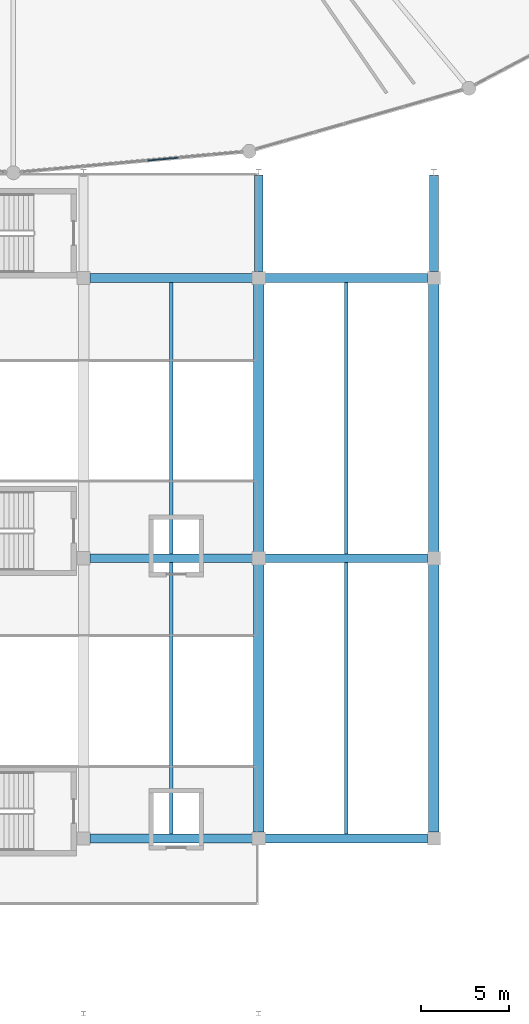
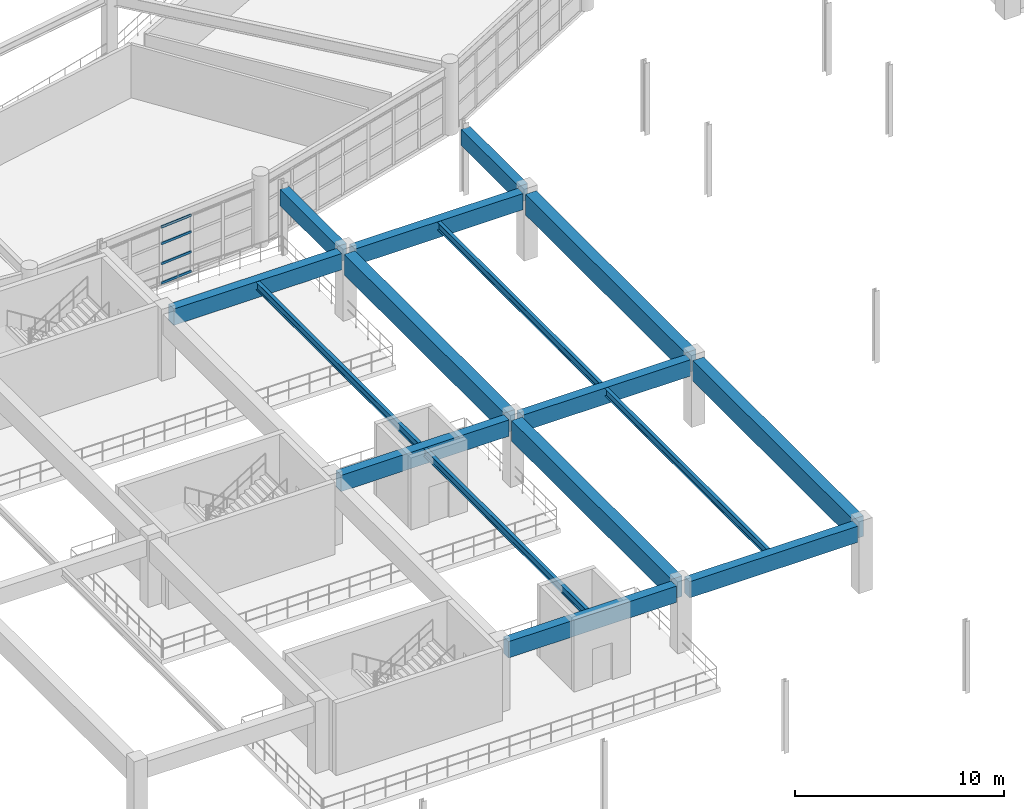
# One storey, part 28 of 100: 16 beams, 4 members, 1 element without a shape of its own.
"""IFC4 building model written with IfcOpenShell, lengths in metres."""

from ifc_helpers import new_model, si_unit, direction, frame, origin, origin_2d, place, context, subcontext, project, spatial, rectangle, i_section, extrude, material, layer, layer_set, material_profile, profile_set, type_object, element, aggregate, save


model = new_model("IFC4")

# Units and contexts
model_context = context("Model", 3, precision=1e-05, world=origin(), true_north=direction((0.0, 1.0)))
body_context = subcontext(model_context, "Body", "Model", "MODEL_VIEW")
ifc_project = project(units=[si_unit("LENGTHUNIT", "METRE"), si_unit("AREAUNIT", "SQUARE_METRE"), si_unit("VOLUMEUNIT", "CUBIC_METRE"), si_unit("PLANEANGLEUNIT", "RADIAN"), si_unit("MASSUNIT", "GRAM", prefix="KILO")], contexts=[model_context])

# Site, building, storey
site_placement = place(None, origin())
site = spatial("IfcSite", under=ifc_project, at=site_placement, CompositionType="ELEMENT")
building_placement = place(site_placement, origin())
building = spatial("IfcBuilding", under=site, at=building_placement, Name="Kivolera Central Railway Station", CompositionType="ELEMENT")
storey_placement = place(building_placement, frame((0.0, 0.0, 5.39990234375)))
storey = spatial("IfcBuildingStorey", under=building, at=storey_placement, Name="L01", CompositionType="ELEMENT", Elevation=5.39990234375)

# Beams
ifc_material_1 = material(Name="Steel S355", Category="steel")
ifc_material_profile_1 = material_profile(ifc_material_1, i_section(OverallWidth=0.18994140625, OverallDepth=0.449951171875, WebThickness=0.009521484375, FlangeThickness=0.0146484375, FilletRadius=0.02099609375, at=origin_2d()), Name="IPE 450")
ifc_profile_set_1 = profile_set([ifc_material_profile_1], Name="Steel S355")
beam_type_1 = type_object("IfcBeamType", Name="BM-JST-IPE450", PredefinedType="JOIST", material=ifc_profile_set_1)
for number, where, z_axis, x_axis, name in (
    (1, (73.0, 16.241943359375, 3.64306640625), (0.0, 1.0, 0.0), (-1.0, 0.0, 0.0), "L01 Over-Track Bridge Joist 7:B-C"),
    (2, (73.0, 32.241943359375, 3.64306640625), (0.0, 1.0, 0.0), (-1.0, 0.0, 0.0), "L01 Over-Track Bridge Joist 7:C-D"),
    (3, (83.0, 16.241943359375, 3.64306640625), (0.0, 1.0, 0.0), (-1.0, 0.0, 0.0), "L01 Over-Track Bridge Joist 8:B-C"),
    (4, (83.0, 32.241943359375, 3.64306640625), (0.0, 1.0, 0.0), (-1.0, 0.0, 0.0), "L01 Over-Track Bridge Joist 8:C-D"),
):
    element("IfcBeam", number, at=place(storey_placement, frame(where, z_axis=z_axis, x_axis=x_axis)), inside=storey, type_object=beam_type_1, Name=name, PredefinedType="JOIST", context=body_context, shape_type="SweptSolid", body=[
        extrude(i_section(OverallWidth=0.18994140625, OverallDepth=0.449951171875, WebThickness=0.009521484375, FlangeThickness=0.0146484375, FilletRadius=0.02099609375, at=origin_2d()), origin(), (0.0, 0.0, 1.0), 15.51611328125),
    ])
ifc_material_2 = material(Name="Concrete C40/50", Category="concrete")
ifc_material_profile_2 = material_profile(ifc_material_2, rectangle(XDim=0.5, YDim=0.949951171875, at=origin_2d()), Name="RC 500x950")
ifc_profile_set_2 = profile_set([ifc_material_profile_2], Name="Concrete C40/50")
beam_type_2 = type_object("IfcBeamType", Name="BM-RC-500x950", PredefinedType="BEAM", material=ifc_profile_set_2)
for number, where, z_axis, x_axis, name in (
    (5, (78.0, 48.362060546875, 3.405029296875), (0.0, 1.0, 0.0), (-1.0, 0.0, 0.0), "Over-Track Concourse Threshold Girder 8:D-E"),
    (6, (88.0, 48.362060546875, 3.405029296875), (0.0, 1.0, 0.0), (-1.0, 0.0, 0.0), "Over-Track Concourse Threshold Girder 9:D-E"),
):
    element("IfcBeam", number, at=place(storey_placement, frame(where, z_axis=z_axis, x_axis=x_axis)), inside=storey, type_object=beam_type_2, Name=name, PredefinedType="BEAM", context=body_context, shape_type="SweptSolid", body=[
        extrude(rectangle(XDim=0.5, YDim=0.949951171875, at=origin_2d()), origin(), (0.0, 0.0, 1.0), 5.498046875),
    ])
for number, where, z_axis, x_axis, name in (
    (7, (68.362060546875, 16.0, 3.405029296875), (1.0, 0.0, 0.0), (0.0, 1.0, 0.0), "L01 Over-Track Bridge Transverse Girder B:7-8"),
    (8, (68.362060546875, 32.0, 3.405029296875), (1.0, 0.0, 0.0), (0.0, 1.0, 0.0), "L01 Over-Track Bridge Transverse Girder C:7-8"),
    (9, (68.362060546875, 48.0, 3.405029296875), (1.0, 0.0, 0.0), (0.0, 1.0, 0.0), "L01 Over-Track Bridge Transverse Girder D:7-8"),
    (10, (78.362060546875, 16.0, 3.405029296875), (1.0, 0.0, 0.0), (0.0, 1.0, 0.0), "L01 Over-Track Bridge Transverse Girder B:8-9"),
    (11, (78.362060546875, 32.0, 3.405029296875), (1.0, 0.0, 0.0), (0.0, 1.0, 0.0), "L01 Over-Track Bridge Transverse Girder C:8-9"),
    (12, (78.362060546875, 48.0, 3.405029296875), (1.0, 0.0, 0.0), (0.0, 1.0, 0.0), "L01 Over-Track Bridge Transverse Girder D:8-9"),
):
    element("IfcBeam", number, at=place(storey_placement, frame(where, z_axis=z_axis, x_axis=x_axis)), inside=storey, type_object=beam_type_2, Name=name, PredefinedType="BEAM", context=body_context, shape_type="SweptSolid", body=[
        extrude(rectangle(XDim=0.5, YDim=0.949951171875, at=origin_2d()), origin(), (0.0, 0.0, 1.0), 9.27587890625),
    ])
ifc_material_profile_3 = material_profile(ifc_material_2, rectangle(XDim=0.60009765625, YDim=1.199951171875, at=origin_2d()), Name="RC 600x1200")
ifc_profile_set_3 = profile_set([ifc_material_profile_3], Name="Concrete C40/50")
beam_type_3 = type_object("IfcBeamType", Name="BM-RC-600x1200", PredefinedType="BEAM", material=ifc_profile_set_3)
for number, where, z_axis, x_axis, name in (
    (13, (78.0, 16.362060546875, 3.280029296875), (0.0, 1.0, 0.0), (-1.0, 0.0, 0.0), "L01 Over-Track Concourse Bridge Girder 8:B-C"),
    (14, (78.0, 32.362060546875, 3.280029296875), (0.0, 1.0, 0.0), (-1.0, 0.0, 0.0), "L01 Over-Track Concourse Bridge Girder 8:C-D"),
    (15, (88.0, 16.362060546875, 3.280029296875), (0.0, 1.0, 0.0), (-1.0, 0.0, 0.0), "L01 Over-Track Concourse Bridge Girder 9:B-C"),
    (16, (88.0, 32.362060546875, 3.280029296875), (0.0, 1.0, 0.0), (-1.0, 0.0, 0.0), "L01 Over-Track Concourse Bridge Girder 9:C-D"),
):
    element("IfcBeam", number, at=place(storey_placement, frame(where, z_axis=z_axis, x_axis=x_axis)), inside=storey, type_object=beam_type_3, Name=name, PredefinedType="BEAM", context=body_context, shape_type="SweptSolid", body=[
        extrude(rectangle(XDim=0.60009765625, YDim=1.199951171875, at=origin_2d()), origin(), (0.0, 0.0, 1.0), 15.27587890625),
    ])

# Curtain wall, members
ifc_material_3 = material(Name="Anodised aluminium", Category="aluminium")
ifc_layer = layer(ifc_material_3, 0.179931640625, Name="Anodised aluminium")
ifc_layer_set = layer_set([ifc_layer], Name="Anodised aluminium")
curtain_wall_type = type_object("IfcCurtainWallType", Name="CW-SYS-12", PredefinedType="NOTDEFINED", material=ifc_layer_set)
curtain_wall_placement = place(storey_placement, origin())
curtain_wall = element("IfcCurtainWall", 17, at=curtain_wall_placement, inside=storey, type_object=curtain_wall_type, Name="L01 Curtain Wall CW-L01-OVL-18", PredefinedType="NOTDEFINED")
ifc_material_profile_4 = material_profile(ifc_material_3, rectangle(XDim=0.070068359375, YDim=0.139892578125, at=origin_2d()), Name="ALU TRAN 70x140")
ifc_profile_set_4 = profile_set([ifc_material_profile_4], Name="Anodised aluminium")
member_type = type_object("IfcMemberType", Name="CWM-TRN-1", PredefinedType="USERDEFINED", material=ifc_profile_set_4)
member_1_placement = place(storey_placement, frame((73.408203125, 54.85791015625, 0.03515625), z_axis=(-0.995863361258, -0.09086344537, 0.0), x_axis=(0.09086344537, -0.995863361258, 0.0)))
member_1 = element("IfcMember", 18, at=member_1_placement, type_object=member_type, Name="CW-12 transom 3.1", ObjectType="TRANSOM", PredefinedType="USERDEFINED", context=body_context, shape_type="SweptSolid", body=[
    extrude(rectangle(XDim=0.070068359375, YDim=0.139892578125, at=origin_2d()), origin(), (0.0, 0.0, 1.0), 1.74658203125),
])
member_2_placement = place(storey_placement, frame((73.408203125, 54.85791015625, 1.169189453125), z_axis=(-0.995863361258, -0.09086344537, 0.0), x_axis=(0.09086344537, -0.995863361258, 0.0)))
member_2 = element("IfcMember", 19, at=member_2_placement, type_object=member_type, Name="CW-12 transom 3.2", ObjectType="TRANSOM", PredefinedType="USERDEFINED", context=body_context, shape_type="SweptSolid", body=[
    extrude(rectangle(XDim=0.070068359375, YDim=0.139892578125, at=origin_2d()), origin(), (0.0, 0.0, 1.0), 1.74658203125),
])
member_3_placement = place(storey_placement, frame((73.408203125, 54.85791015625, 2.338134765625), z_axis=(-0.995863361258, -0.09086344537, 0.0), x_axis=(0.09086344537, -0.995863361258, 0.0)))
member_3 = element("IfcMember", 20, at=member_3_placement, type_object=member_type, Name="CW-12 transom 3.3", ObjectType="TRANSOM", PredefinedType="USERDEFINED", context=body_context, shape_type="SweptSolid", body=[
    extrude(rectangle(XDim=0.070068359375, YDim=0.139892578125, at=origin_2d()), origin(), (0.0, 0.0, 1.0), 1.74658203125),
])
member_4_placement = place(storey_placement, frame((73.408203125, 54.85791015625, 3.30517578125), z_axis=(-0.995863361258, -0.09086344537, 0.0), x_axis=(0.09086344537, -0.995863361258, 0.0)))
member_4 = element("IfcMember", 21, at=member_4_placement, type_object=member_type, Name="CW-12 transom 3.4", ObjectType="TRANSOM", PredefinedType="USERDEFINED", context=body_context, shape_type="SweptSolid", body=[
    extrude(rectangle(XDim=0.070068359375, YDim=0.139892578125, at=origin_2d()), origin(), (0.0, 0.0, 1.0), 1.74658203125),
])
aggregate(curtain_wall, [member_1, member_2, member_3, member_4])

save(model, "model.ifc")
